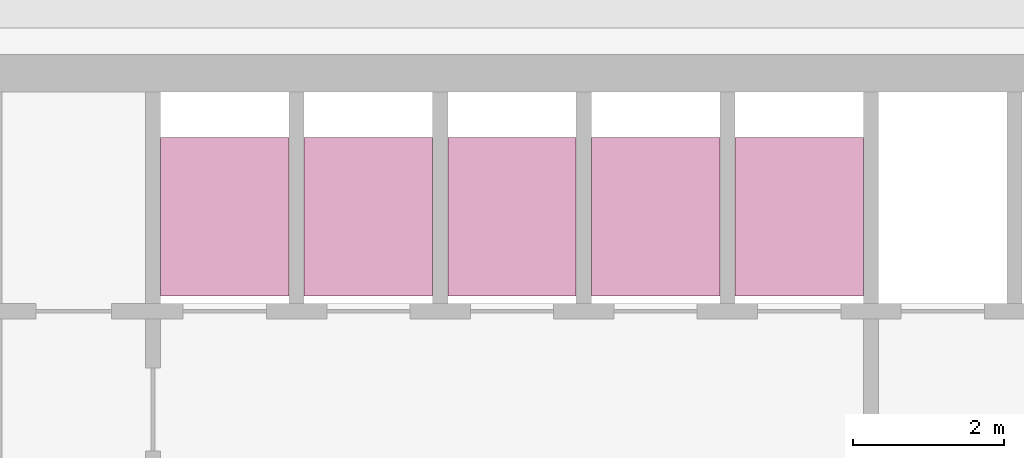
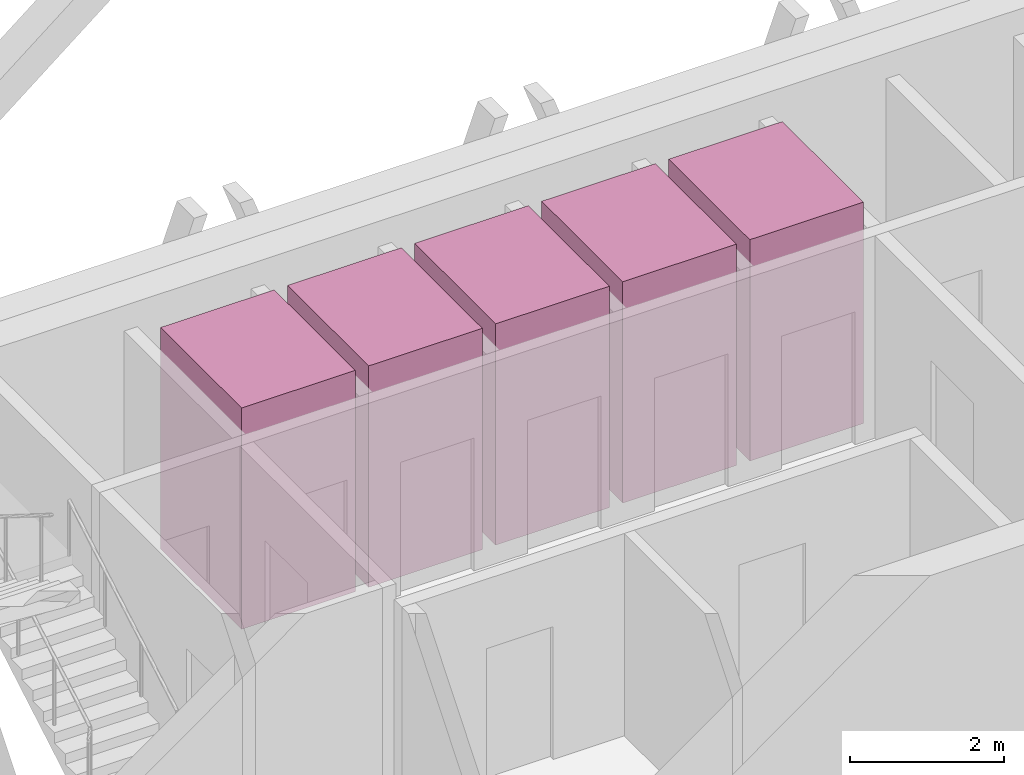
# One storey, part 12 of 12: 5 transport elements.
"""IFC4 building model written with IfcOpenShell, lengths in metres."""

from ifc_helpers import new_model, si_unit, direction, frame, origin, origin_2d, place, context, subcontext, project, spatial, rectangle, extrude, material, type_object, element, save


model = new_model("IFC4")

# Units and contexts
model_context = context("Model", 3, precision=1e-05, world=origin(), true_north=direction((0.0, 1.0)))
body_context = subcontext(model_context, "Body", "Model", "MODEL_VIEW")
ifc_project = project(units=[si_unit("LENGTHUNIT", "METRE"), si_unit("AREAUNIT", "SQUARE_METRE"), si_unit("VOLUMEUNIT", "CUBIC_METRE"), si_unit("PLANEANGLEUNIT", "RADIAN"), si_unit("MASSUNIT", "GRAM", prefix="KILO")], contexts=[model_context])

# Site, building, storey
site_placement = place(None, origin())
site = spatial("IfcSite", under=ifc_project, at=site_placement, CompositionType="ELEMENT")
building_placement = place(site_placement, origin())
building = spatial("IfcBuilding", under=site, at=building_placement, Name="Altiplano Prism Tower", CompositionType="ELEMENT")
storey_placement = place(building_placement, frame((0.0, 0.0, 313.0)))
storey = spatial("IfcBuildingStorey", under=building, at=storey_placement, Name="L81", CompositionType="ELEMENT", Elevation=313.0)

# Transport elements
ifc_material = material(Name="Stainless steel lift car", Category="steel")
transport_element_type = type_object("IfcTransportElementType", Name="Passenger lift car 1600 x 2100", PredefinedType="ELEVATOR", material=ifc_material)
for number, where, z_axis, x_axis, name in (
    (1, (79.050048828125, 101.75, 0.050048828125), (0.0, 0.0, 1.0), (1.0, 0.0, 0.0), "High Zone Passenger Lift 1"),
    (2, (80.949951171875, 101.75, 0.050048828125), (0.0, 0.0, 1.0), (1.0, 0.0, 0.0), "High Zone Passenger Lift 2"),
    (3, (82.85009765625, 101.75, 0.050048828125), (0.0, 0.0, 1.0), (1.0, 0.0, 0.0), "High Zone Passenger Lift 3"),
    (4, (84.75, 101.75, 0.050048828125), (0.0, 0.0, 1.0), (1.0, 0.0, 0.0), "High Zone Passenger Lift 4"),
    (5, (86.64990234375, 101.75, 0.050048828125), (0.0, 0.0, 1.0), (1.0, 0.0, 0.0), "High Zone Passenger Lift 5"),
):
    element("IfcTransportElement", number, at=place(storey_placement, frame(where, z_axis=z_axis, x_axis=x_axis)), inside=storey, type_object=transport_element_type, Name=name, PredefinedType="ELEVATOR", context=body_context, shape_type="SweptSolid", body=[
        extrude(rectangle(XDim=1.699951171875, YDim=2.10009765625, at=origin_2d()), origin(), (0.0, 0.0, 1.0), 3.5),
    ])

save(model, "model.ifc")
